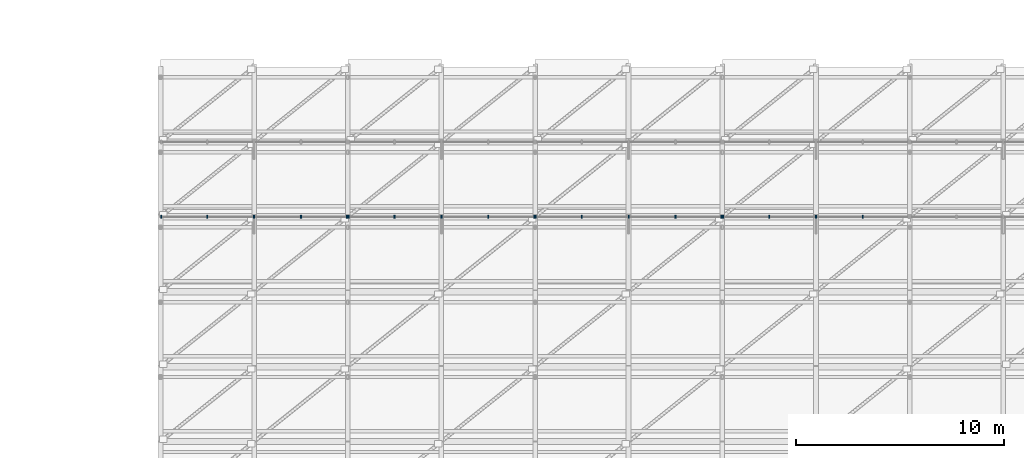
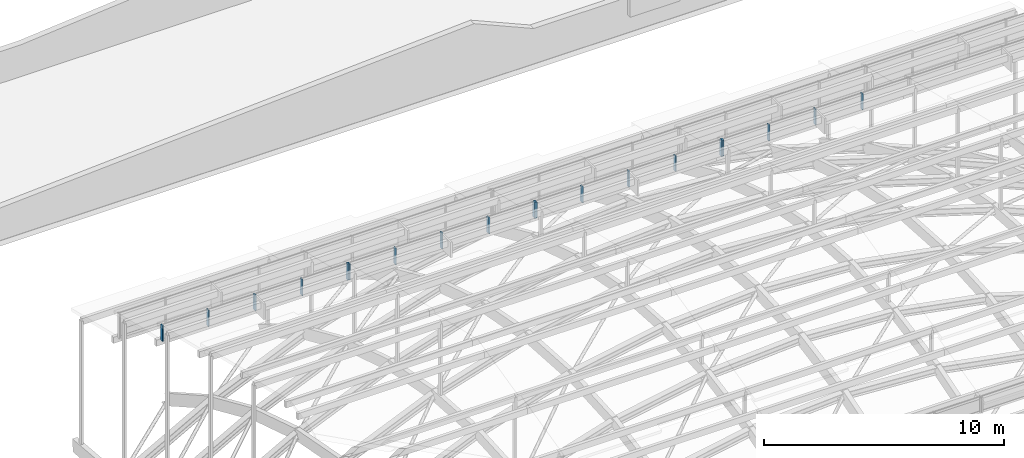
# One storey, part 40 of 69: 19 members, 4 elements without a shape of their own.
"""IFC4 building model written with IfcOpenShell, lengths in metres."""

from ifc_helpers import new_model, si_unit, direction, frame, origin, origin_2d, place, context, subcontext, project, spatial, rectangle, extrude, material, layer, layer_set, material_profile, profile_set, type_object, element, aggregate, save


model = new_model("IFC4")

# Units and contexts
model_context = context("Model", 3, precision=1e-05, world=origin(), true_north=direction((0.0, 1.0)))
body_context = subcontext(model_context, "Body", "Model", "MODEL_VIEW")
ifc_project = project(units=[si_unit("LENGTHUNIT", "METRE"), si_unit("AREAUNIT", "SQUARE_METRE"), si_unit("VOLUMEUNIT", "CUBIC_METRE"), si_unit("PLANEANGLEUNIT", "RADIAN"), si_unit("MASSUNIT", "GRAM", prefix="KILO")], contexts=[model_context])

# Site, building, storey
site_placement = place(None, origin())
site = spatial("IfcSite", under=ifc_project, at=site_placement, CompositionType="ELEMENT")
building_placement = place(site_placement, origin())
building = spatial("IfcBuilding", under=site, at=building_placement, Name="Montealbar Specialist Clinic", CompositionType="ELEMENT")
storey_placement = place(building_placement, frame((0.0, 0.0, 9.60009765625)))
storey = spatial("IfcBuildingStorey", under=building, at=storey_placement, Name="L02", CompositionType="ELEMENT", Elevation=9.60009765625)

# Curtain wall, members
ifc_material_1 = material(Name="Low-E double glazing", Category="glass")
ifc_layer = layer(ifc_material_1, 0.199951171875, Name="Low-E double glazing", Category="glass")
ifc_layer_set = layer_set([ifc_layer], Name="Low-E double glazing")
curtain_wall_type = type_object("IfcCurtainWallType", Name="CW-TYPE-48", PredefinedType="NOTDEFINED", material=ifc_layer_set)
curtain_wall_1_placement = place(storey_placement, origin())
curtain_wall_1 = element("IfcCurtainWall", 1, at=curtain_wall_1_placement, inside=storey, type_object=curtain_wall_type, Name="Unitised Curtain Wall CW-L02-540-738-630-738-196", PredefinedType="NOTDEFINED")
ifc_material_2 = material(Name="Anodised aluminium EN AW-6063", Category="aluminium")
ifc_material_profile = material_profile(ifc_material_2, rectangle(XDim=0.06005859375, YDim=0.159912109375, at=origin_2d()), Name="ALU 60x160", Category="aluminium")
ifc_profile_set = profile_set([ifc_material_profile], Name="Anodised aluminium EN AW-6063")
member_type = type_object("IfcMemberType", Name="CW-MUL-160", PredefinedType="MULLION", material=ifc_profile_set)
member_1_placement = place(storey_placement, frame((54.034912109375, 73.800048828125, 9.974853515625), z_axis=(0.0, 0.0, 1.0), x_axis=(1.0, 0.0, 0.0)))
member_1 = element("IfcMember", 2, at=member_1_placement, type_object=member_type, Name="Curtain Wall Mullion CW-L02-540-738-630-738-196-00", PredefinedType="MULLION", context=body_context, shape_type="SweptSolid", body=[
    extrude(rectangle(XDim=0.06005859375, YDim=0.159912109375, at=origin_2d()), origin(), (0.0, 0.0, 1.0), 0.803955078125),
])
member_2_placement = place(storey_placement, frame((56.25, 73.800048828125, 9.974853515625), z_axis=(0.0, 0.0, 1.0), x_axis=(1.0, 0.0, 0.0)))
member_2 = element("IfcMember", 3, at=member_2_placement, type_object=member_type, Name="Curtain Wall Mullion CW-L02-540-738-630-738-196-01", PredefinedType="MULLION", context=body_context, shape_type="SweptSolid", body=[
    extrude(rectangle(XDim=0.06005859375, YDim=0.159912109375, at=origin_2d()), origin(), (0.0, 0.0, 1.0), 0.803955078125),
])
member_3_placement = place(storey_placement, frame((58.5, 73.800048828125, 9.974853515625), z_axis=(0.0, 0.0, 1.0), x_axis=(1.0, 0.0, 0.0)))
member_3 = element("IfcMember", 4, at=member_3_placement, type_object=member_type, Name="Curtain Wall Mullion CW-L02-540-738-630-738-196-02", PredefinedType="MULLION", context=body_context, shape_type="SweptSolid", body=[
    extrude(rectangle(XDim=0.06005859375, YDim=0.159912109375, at=origin_2d()), origin(), (0.0, 0.0, 1.0), 0.803955078125),
])
member_4_placement = place(storey_placement, frame((60.75, 73.800048828125, 9.974853515625), z_axis=(0.0, 0.0, 1.0), x_axis=(1.0, 0.0, 0.0)))
member_4 = element("IfcMember", 5, at=member_4_placement, type_object=member_type, Name="Curtain Wall Mullion CW-L02-540-738-630-738-196-03", PredefinedType="MULLION", context=body_context, shape_type="SweptSolid", body=[
    extrude(rectangle(XDim=0.06005859375, YDim=0.159912109375, at=origin_2d()), origin(), (0.0, 0.0, 1.0), 0.803955078125),
])
member_5_placement = place(storey_placement, frame((62.965087890625, 73.800048828125, 9.974853515625), z_axis=(0.0, 0.0, 1.0), x_axis=(1.0, 0.0, 0.0)))
member_5 = element("IfcMember", 6, at=member_5_placement, type_object=member_type, Name="Curtain Wall Mullion CW-L02-540-738-630-738-196-04", PredefinedType="MULLION", context=body_context, shape_type="SweptSolid", body=[
    extrude(rectangle(XDim=0.06005859375, YDim=0.159912109375, at=origin_2d()), origin(), (0.0, 0.0, 1.0), 0.803955078125),
])
aggregate(curtain_wall_1, [member_1, member_2, member_3, member_4, member_5])

curtain_wall_2_placement = place(storey_placement, origin())
curtain_wall_2 = element("IfcCurtainWall", 7, at=curtain_wall_2_placement, inside=storey, type_object=curtain_wall_type, Name="Unitised Curtain Wall CW-L02-630-738-720-738-196", PredefinedType="NOTDEFINED")
member_6_placement = place(storey_placement, frame((63.034912109375, 73.800048828125, 9.974853515625), z_axis=(0.0, 0.0, 1.0), x_axis=(1.0, 0.0, 0.0)))
member_6 = element("IfcMember", 8, at=member_6_placement, type_object=member_type, Name="Curtain Wall Mullion CW-L02-630-738-720-738-196-00", PredefinedType="MULLION", context=body_context, shape_type="SweptSolid", body=[
    extrude(rectangle(XDim=0.06005859375, YDim=0.159912109375, at=origin_2d()), origin(), (0.0, 0.0, 1.0), 0.803955078125),
])
member_7_placement = place(storey_placement, frame((65.25, 73.800048828125, 9.974853515625), z_axis=(0.0, 0.0, 1.0), x_axis=(1.0, 0.0, 0.0)))
member_7 = element("IfcMember", 9, at=member_7_placement, type_object=member_type, Name="Curtain Wall Mullion CW-L02-630-738-720-738-196-01", PredefinedType="MULLION", context=body_context, shape_type="SweptSolid", body=[
    extrude(rectangle(XDim=0.06005859375, YDim=0.159912109375, at=origin_2d()), origin(), (0.0, 0.0, 1.0), 0.803955078125),
])
member_8_placement = place(storey_placement, frame((67.5, 73.800048828125, 9.974853515625), z_axis=(0.0, 0.0, 1.0), x_axis=(1.0, 0.0, 0.0)))
member_8 = element("IfcMember", 10, at=member_8_placement, type_object=member_type, Name="Curtain Wall Mullion CW-L02-630-738-720-738-196-02", PredefinedType="MULLION", context=body_context, shape_type="SweptSolid", body=[
    extrude(rectangle(XDim=0.06005859375, YDim=0.159912109375, at=origin_2d()), origin(), (0.0, 0.0, 1.0), 0.803955078125),
])
member_9_placement = place(storey_placement, frame((69.75, 73.800048828125, 9.974853515625), z_axis=(0.0, 0.0, 1.0), x_axis=(1.0, 0.0, 0.0)))
member_9 = element("IfcMember", 11, at=member_9_placement, type_object=member_type, Name="Curtain Wall Mullion CW-L02-630-738-720-738-196-03", PredefinedType="MULLION", context=body_context, shape_type="SweptSolid", body=[
    extrude(rectangle(XDim=0.06005859375, YDim=0.159912109375, at=origin_2d()), origin(), (0.0, 0.0, 1.0), 0.803955078125),
])
member_10_placement = place(storey_placement, frame((71.965087890625, 73.800048828125, 9.974853515625), z_axis=(0.0, 0.0, 1.0), x_axis=(1.0, 0.0, 0.0)))
member_10 = element("IfcMember", 12, at=member_10_placement, type_object=member_type, Name="Curtain Wall Mullion CW-L02-630-738-720-738-196-04", PredefinedType="MULLION", context=body_context, shape_type="SweptSolid", body=[
    extrude(rectangle(XDim=0.06005859375, YDim=0.159912109375, at=origin_2d()), origin(), (0.0, 0.0, 1.0), 0.803955078125),
])
aggregate(curtain_wall_2, [member_6, member_7, member_8, member_9, member_10])

curtain_wall_3_placement = place(storey_placement, origin())
curtain_wall_3 = element("IfcCurtainWall", 13, at=curtain_wall_3_placement, inside=storey, type_object=curtain_wall_type, Name="Unitised Curtain Wall CW-L02-720-738-810-738-196", PredefinedType="NOTDEFINED")
member_11_placement = place(storey_placement, frame((72.034912109375, 73.800048828125, 9.974853515625), z_axis=(0.0, 0.0, 1.0), x_axis=(1.0, 0.0, 0.0)))
member_11 = element("IfcMember", 14, at=member_11_placement, type_object=member_type, Name="Curtain Wall Mullion CW-L02-720-738-810-738-196-00", PredefinedType="MULLION", context=body_context, shape_type="SweptSolid", body=[
    extrude(rectangle(XDim=0.06005859375, YDim=0.159912109375, at=origin_2d()), origin(), (0.0, 0.0, 1.0), 0.803955078125),
])
member_12_placement = place(storey_placement, frame((74.25, 73.800048828125, 9.974853515625), z_axis=(0.0, 0.0, 1.0), x_axis=(1.0, 0.0, 0.0)))
member_12 = element("IfcMember", 15, at=member_12_placement, type_object=member_type, Name="Curtain Wall Mullion CW-L02-720-738-810-738-196-01", PredefinedType="MULLION", context=body_context, shape_type="SweptSolid", body=[
    extrude(rectangle(XDim=0.06005859375, YDim=0.159912109375, at=origin_2d()), origin(), (0.0, 0.0, 1.0), 0.803955078125),
])
member_13_placement = place(storey_placement, frame((76.5, 73.800048828125, 9.974853515625), z_axis=(0.0, 0.0, 1.0), x_axis=(1.0, 0.0, 0.0)))
member_13 = element("IfcMember", 16, at=member_13_placement, type_object=member_type, Name="Curtain Wall Mullion CW-L02-720-738-810-738-196-02", PredefinedType="MULLION", context=body_context, shape_type="SweptSolid", body=[
    extrude(rectangle(XDim=0.06005859375, YDim=0.159912109375, at=origin_2d()), origin(), (0.0, 0.0, 1.0), 0.803955078125),
])
member_14_placement = place(storey_placement, frame((78.75, 73.800048828125, 9.974853515625), z_axis=(0.0, 0.0, 1.0), x_axis=(1.0, 0.0, 0.0)))
member_14 = element("IfcMember", 17, at=member_14_placement, type_object=member_type, Name="Curtain Wall Mullion CW-L02-720-738-810-738-196-03", PredefinedType="MULLION", context=body_context, shape_type="SweptSolid", body=[
    extrude(rectangle(XDim=0.06005859375, YDim=0.159912109375, at=origin_2d()), origin(), (0.0, 0.0, 1.0), 0.803955078125),
])
member_15_placement = place(storey_placement, frame((80.965087890625, 73.800048828125, 9.974853515625), z_axis=(0.0, 0.0, 1.0), x_axis=(1.0, 0.0, 0.0)))
member_15 = element("IfcMember", 18, at=member_15_placement, type_object=member_type, Name="Curtain Wall Mullion CW-L02-720-738-810-738-196-04", PredefinedType="MULLION", context=body_context, shape_type="SweptSolid", body=[
    extrude(rectangle(XDim=0.06005859375, YDim=0.159912109375, at=origin_2d()), origin(), (0.0, 0.0, 1.0), 0.803955078125),
])
aggregate(curtain_wall_3, [member_11, member_12, member_13, member_14, member_15])

curtain_wall_4_placement = place(storey_placement, origin())
curtain_wall_4 = element("IfcCurtainWall", 19, at=curtain_wall_4_placement, inside=storey, type_object=curtain_wall_type, Name="Unitised Curtain Wall CW-L02-810-738-900-738-196", PredefinedType="NOTDEFINED")
member_16_placement = place(storey_placement, frame((81.034912109375, 73.800048828125, 9.974853515625), z_axis=(0.0, 0.0, 1.0), x_axis=(1.0, 0.0, 0.0)))
member_16 = element("IfcMember", 20, at=member_16_placement, type_object=member_type, Name="Curtain Wall Mullion CW-L02-810-738-900-738-196-00", PredefinedType="MULLION", context=body_context, shape_type="SweptSolid", body=[
    extrude(rectangle(XDim=0.06005859375, YDim=0.159912109375, at=origin_2d()), origin(), (0.0, 0.0, 1.0), 0.803955078125),
])
member_17_placement = place(storey_placement, frame((83.25, 73.800048828125, 9.974853515625), z_axis=(0.0, 0.0, 1.0), x_axis=(1.0, 0.0, 0.0)))
member_17 = element("IfcMember", 21, at=member_17_placement, type_object=member_type, Name="Curtain Wall Mullion CW-L02-810-738-900-738-196-01", PredefinedType="MULLION", context=body_context, shape_type="SweptSolid", body=[
    extrude(rectangle(XDim=0.06005859375, YDim=0.159912109375, at=origin_2d()), origin(), (0.0, 0.0, 1.0), 0.803955078125),
])
member_18_placement = place(storey_placement, frame((85.5, 73.800048828125, 9.974853515625), z_axis=(0.0, 0.0, 1.0), x_axis=(1.0, 0.0, 0.0)))
member_18 = element("IfcMember", 22, at=member_18_placement, type_object=member_type, Name="Curtain Wall Mullion CW-L02-810-738-900-738-196-02", PredefinedType="MULLION", context=body_context, shape_type="SweptSolid", body=[
    extrude(rectangle(XDim=0.06005859375, YDim=0.159912109375, at=origin_2d()), origin(), (0.0, 0.0, 1.0), 0.803955078125),
])
member_19_placement = place(storey_placement, frame((87.75, 73.800048828125, 9.974853515625), z_axis=(0.0, 0.0, 1.0), x_axis=(1.0, 0.0, 0.0)))
member_19 = element("IfcMember", 23, at=member_19_placement, type_object=member_type, Name="Curtain Wall Mullion CW-L02-810-738-900-738-196-03", PredefinedType="MULLION", context=body_context, shape_type="SweptSolid", body=[
    extrude(rectangle(XDim=0.06005859375, YDim=0.159912109375, at=origin_2d()), origin(), (0.0, 0.0, 1.0), 0.803955078125),
])
aggregate(curtain_wall_4, [member_16, member_17, member_18, member_19])

save(model, "model.ifc")
